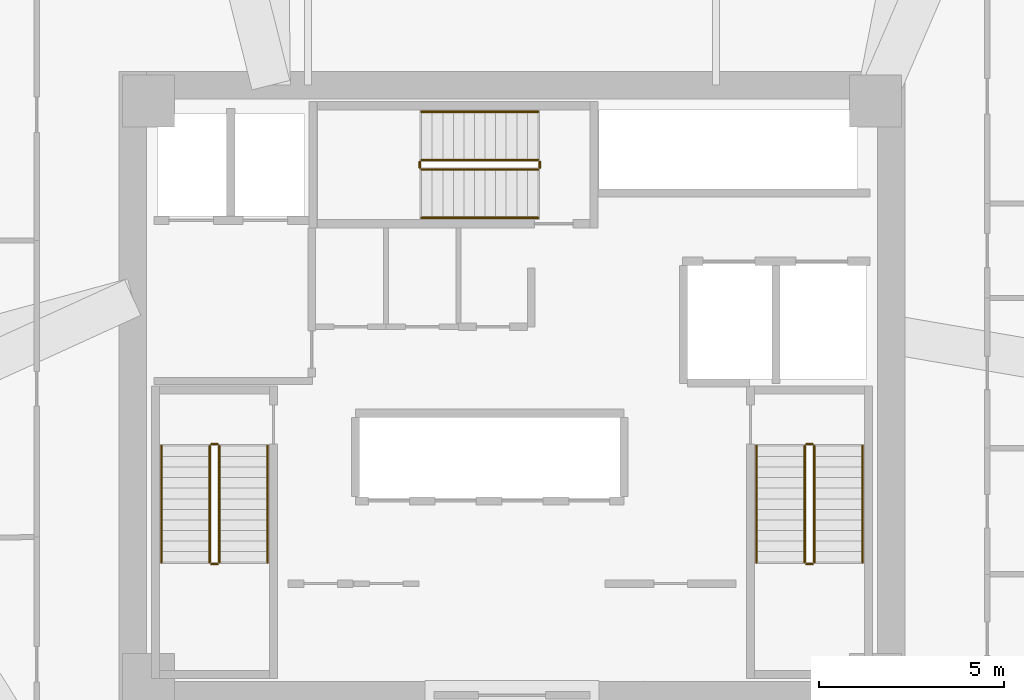
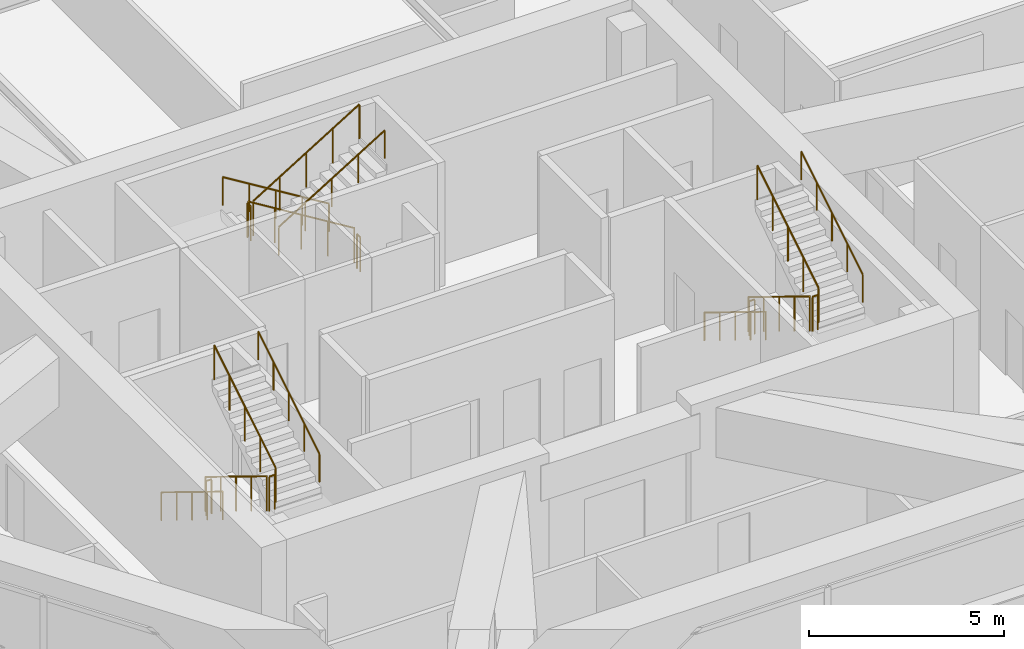
# One storey, part 14 of 14: 18 railings.
"""IFC4 building model written with IfcOpenShell, lengths in metres."""

import ifcopenshell
import ifcopenshell.guid

model = None  # the IFC model being written
_history = None  # IfcOwnerHistory: only IFC2X3 demands one
_inside = {}  # id of a spatial element -> (the spatial element, [elements in it])
_under = {}  # id of a project, library or spatial element -> (it, [spatial elements below it])
_declared = {}  # id of a project -> (the project, [libraries it declares])
_typed = {}  # id of a type object -> (the type object, [elements of that type])
_made_of = {}  # id of a material, layer set ... -> (it, [elements and type objects made of it])


def new_model(schema):
    """Start an empty IFC model of exactly this schema.

    Asked for "IFC4X3", IfcOpenShell would pick the latest addendum, in which some entities
    have other attributes; the version numbers below select the first issue.
    IFC2X3 requires an IfcOwnerHistory on every rooted entity: one is made here for all.
    """
    global model, _history
    if schema == "IFC4X3":
        model = ifcopenshell.file(schema_version=(4, 3, 0, 0))
    else:
        model = ifcopenshell.file(schema=schema)
    _inside.clear()
    _under.clear()
    _declared.clear()
    _typed.clear()
    _made_of.clear()
    _history = None
    if model.schema == "IFC2X3":
        org = make("IfcOrganization", Name="unknown")
        user = make(
            "IfcPersonAndOrganization",
            ThePerson=make("IfcPerson", FamilyName="unknown"),
            TheOrganization=org,
        )
        app = make(
            "IfcApplication",
            ApplicationDeveloper=org,
            Version="unknown",
            ApplicationFullName="unknown",
            ApplicationIdentifier="unknown",
        )
        _history = make(
            "IfcOwnerHistory",
            OwningUser=user,
            OwningApplication=app,
            ChangeAction="ADDED",
            CreationDate=0,
        )
    return model


def make(cls, **values):
    """One entity of the class cls with the attributes given. An attribute that is None is left unset."""
    return model.create_entity(
        cls, **{name: value for name, value in values.items() if value is not None}
    )


def rooted(cls, **values):
    """An entity with a GlobalId (a new one), such as an element, a storey or a relation."""
    return make(cls, GlobalId=ifcopenshell.guid.new(), OwnerHistory=_history, **values)


def si_unit(unit_type, name, prefix=None):
    """IfcSIUnit, for example si_unit("LENGTHUNIT", "METRE", prefix="MILLI")."""
    return make("IfcSIUnit", UnitType=unit_type, Prefix=prefix, Name=name)


def assignment(units):
    """IfcUnitAssignment: the units of a project."""
    return None if units is None else make("IfcUnitAssignment", Units=units)


def point(xyz):
    """IfcCartesianPoint."""
    return None if xyz is None else make("IfcCartesianPoint", Coordinates=xyz)


def direction(xyz):
    """IfcDirection."""
    return None if xyz is None else make("IfcDirection", DirectionRatios=xyz)


def frame(location, z_axis=None, x_axis=None):
    """IfcAxis2Placement3D, a coordinate frame: its origin and axes. An axis left out is left unset."""
    return make(
        "IfcAxis2Placement3D",
        Location=point(location),
        Axis=direction(z_axis),
        RefDirection=direction(x_axis),
    )


def frame_2d(location, x_axis=None):
    """IfcAxis2Placement2D, a coordinate frame in the plane: its origin and x axis."""
    return make(
        "IfcAxis2Placement2D", Location=point(location), RefDirection=direction(x_axis)
    )


def origin():
    """The frame at (0, 0, 0) with its axes left unset."""
    return frame((0.0, 0.0, 0.0))


def origin_2d():
    """The frame at (0, 0) in the plane with its x axis left unset."""
    return frame_2d((0.0, 0.0))


def place(relative_to, where):
    """IfcLocalPlacement: puts the frame where relative to a parent placement (None: the world)."""
    return make(
        "IfcLocalPlacement", PlacementRelTo=relative_to, RelativePlacement=where
    )


def context(
    kind, dimensions, precision=None, world=None, true_north=None, identifier=None
):
    """IfcGeometricRepresentationContext, for example the 3D "Model" context."""
    return make(
        "IfcGeometricRepresentationContext",
        ContextIdentifier=identifier,
        ContextType=kind,
        CoordinateSpaceDimension=dimensions,
        Precision=precision,
        WorldCoordinateSystem=world,
        TrueNorth=true_north,
    )


def subcontext(parent, identifier, kind, view, scale=None):
    """IfcGeometricRepresentationSubContext, for example "Body" below "Model"."""
    return make(
        "IfcGeometricRepresentationSubContext",
        ContextIdentifier=identifier,
        ContextType=kind,
        ParentContext=parent,
        TargetScale=scale,
        TargetView=view,
    )


def project(units=None, contexts=None):
    """IfcProject with its units and contexts."""
    return rooted(
        "IfcProject",
        Name="project",
        RepresentationContexts=contexts,
        UnitsInContext=assignment(units),
    )


def spatial(cls, under=None, at=None, **own):
    """A site, building, storey or space (cls), placed at a placement, below another one or the project."""
    s = rooted(cls, ObjectPlacement=at, **own)
    if under is not None:
        _under.setdefault(under.id(), (under, []))[1].append(s)
    return s


def profile(cls, at=None, kind="AREA", **sizes):
    """A parametric profile (cls). Its sizes go by their IFC names, for example OverallWidth=200.0."""
    return make(cls, ProfileType=kind, Position=at, **sizes)


def circle(**sizes):
    """IfcCircleProfileDef."""
    return profile("IfcCircleProfileDef", **sizes)


def extrude(swept, where, along, depth):
    """IfcExtrudedAreaSolid: the profile swept, set in the frame where, extruded along a direction by depth."""
    return make(
        "IfcExtrudedAreaSolid",
        SweptArea=swept,
        Position=where,
        ExtrudedDirection=direction(along),
        Depth=depth,
    )


def shape(context_of_items, identifier, shape_type, items):
    """IfcShapeRepresentation: the items that make up one representation, for example the "Body"."""
    return make(
        "IfcShapeRepresentation",
        ContextOfItems=context_of_items,
        RepresentationIdentifier=identifier,
        RepresentationType=shape_type,
        Items=items,
    )


def material(Name=None, Category=None):
    """IfcMaterial."""
    return make("IfcMaterial", Name=Name, Category=Category)


def made_of(thing, what):
    """Note that an element or type object is made of a material, layer set ...; save() writes the relation."""
    if what is not None:
        _made_of.setdefault(what.id(), (what, []))[1].append(thing)
    return thing


def type_object(cls, material=None, **own):
    """A type object (cls), such as IfcWallType, which elements share."""
    return made_of(rooted(cls, **own), material)


def element(
    cls,
    number,
    at=None,
    inside=None,
    cuts=None,
    type_object=None,
    material=None,
    context=None,
    identifier="Body",
    shape_type=None,
    held_by="IfcProductDefinitionShape",
    body=None,
    shapes=None,
    **own,
):
    """One element of the class cls, such as IfcWall. Its Tag is "e" and its number.

    at: its placement. inside: the storey or other place that contains it. cuts: it is an
    opening in that element (IfcRelVoidsElement). A single representation is given by context,
    identifier, shape_type and body (its items); several are given by shapes. held_by: the class
    of the entity that holds the representations. save() writes the other relations.
    """
    e = rooted(cls, Tag="e%d" % number, ObjectPlacement=at, **own)
    if body is not None:
        shapes = [shape(context, identifier, shape_type, body)]
    if shapes is not None:
        e.Representation = make(held_by, Representations=shapes)
    if inside is not None:
        _inside.setdefault(inside.id(), (inside, []))[1].append(e)
    if cuts is not None:
        rooted(
            "IfcRelVoidsElement", RelatingBuildingElement=cuts, RelatedOpeningElement=e
        )
    if type_object is not None:
        _typed.setdefault(type_object.id(), (type_object, []))[1].append(e)
    return made_of(e, material)


def aggregate(whole, parts):
    """IfcRelAggregates: a whole, such as a stair, and the parts it consists of."""
    return rooted("IfcRelAggregates", RelatingObject=whole, RelatedObjects=parts)


def save(model, path):
    """Write the relations noted so far, then the file.

    IfcRelAggregates (storeys below a building ...), IfcRelContainedInSpatialStructure (elements
    in a storey), IfcRelDefinesByType, IfcRelAssociatesMaterial and IfcRelDeclares: one each for
    every whole, place, type object, material and project.
    """
    for whole, parts in _under.values():
        aggregate(whole, parts)
    for where, things in _inside.values():
        rooted(
            "IfcRelContainedInSpatialStructure",
            RelatedElements=things,
            RelatingStructure=where,
        )
    for kind, things in _typed.values():
        rooted("IfcRelDefinesByType", RelatedObjects=things, RelatingType=kind)
    for what, things in _made_of.values():
        rooted("IfcRelAssociatesMaterial", RelatedObjects=things, RelatingMaterial=what)
    for by, libraries in _declared.values():
        rooted("IfcRelDeclares", RelatingContext=by, RelatedDefinitions=libraries)
    model.write(path)


model = new_model("IFC4")

# Units and contexts
model_context = context("Model", 3, precision=1e-05, world=origin(), true_north=direction((0.0, 1.0)))
body_context = subcontext(model_context, "Body", "Model", "MODEL_VIEW")
ifc_project = project(units=[si_unit("LENGTHUNIT", "METRE"), si_unit("AREAUNIT", "SQUARE_METRE"), si_unit("VOLUMEUNIT", "CUBIC_METRE"), si_unit("PLANEANGLEUNIT", "RADIAN"), si_unit("MASSUNIT", "GRAM", prefix="KILO")], contexts=[model_context])

# Site, building, storey
site_placement = place(None, origin())
site = spatial("IfcSite", under=ifc_project, at=site_placement, CompositionType="ELEMENT")
building_placement = place(site_placement, origin())
building = spatial("IfcBuilding", under=site, at=building_placement, Name="Durnholm Broadcast Tower", CompositionType="ELEMENT")
storey_placement = place(building_placement, frame((0.0, 0.0, 146.10009765625)))
storey = spatial("IfcBuildingStorey", under=building, at=storey_placement, Name="L40", CompositionType="ELEMENT", Elevation=146.10009765625)

# Railings
ifc_material_1 = material(Name="Painted Tubular Steel Stair Guardrail", Category="steel")
railing_type_1 = type_object("IfcRailingType", Name="RAIL-ST-GRD", PredefinedType="GUARDRAIL", material=ifc_material_1)
railing_1_placement = place(storey_placement, frame((-8.14990234375, -1.5, 0.1748046875)))
element("IfcRailing", 1, at=railing_1_placement, inside=storey, type_object=railing_type_1, Name="L40 ST-1 stair guard 1", PredefinedType="GUARDRAIL", context=body_context, shape_type="SweptSolid", body=[
    extrude(circle(Radius=0.02392578125, at=origin_2d()), frame((0.0, 0.0, 1.076171875), z_axis=(0.0, -0.852166034122, 0.523271488128), x_axis=(1.0, 0.0, 0.0)), (0.0, 0.0, 1.0), 3.678955078125),
    extrude(circle(Radius=0.02099609375, at=origin_2d()), origin(), (0.0, 0.0, 1.0), 1.052001953125),
    extrude(circle(Radius=0.02099609375, at=origin_2d()), frame((0.0, -0.78369140625, 0.481201171875)), (0.0, 0.0, 1.0), 1.052001953125),
    extrude(circle(Radius=0.02099609375, at=origin_2d()), frame((0.0, -1.5673828125, 0.96240234375)), (0.0, 0.0, 1.0), 1.052001953125),
    extrude(circle(Radius=0.02099609375, at=origin_2d()), frame((0.0, -2.351318359375, 1.44384765625)), (0.0, 0.0, 1.0), 1.052001953125),
    extrude(circle(Radius=0.02099609375, at=origin_2d()), frame((0.0, -3.135009765625, 1.925048828125)), (0.0, 0.0, 1.0), 1.052001953125),
])
railing_2_placement = place(storey_placement, frame((-8.10009765625, -4.68505859375, 2.099853515625)))
element("IfcRailing", 2, at=railing_2_placement, inside=storey, type_object=railing_type_1, Name="L40 ST-1 stair guard 2", PredefinedType="GUARDRAIL", context=body_context, shape_type="SweptSolid", body=[
    extrude(circle(Radius=0.02392578125, at=origin_2d()), frame((0.0, 0.0, 1.076171875), z_axis=(1.0, 0.0, 0.0), x_axis=(0.0, 1.0, 0.0)), (0.0, 0.0, 1.0), 0.16015625),
    extrude(circle(Radius=0.02099609375, at=origin_2d()), origin(), (0.0, 0.0, 1.0), 1.052001953125),
    extrude(circle(Radius=0.02099609375, at=origin_2d()), frame((0.16015625, 0.0, 0.0)), (0.0, 0.0, 1.0), 1.052001953125),
])
railing_3_placement = place(storey_placement, frame((-7.889892578125, -4.635009765625, 2.27490234375)))
element("IfcRailing", 3, at=railing_3_placement, inside=storey, type_object=railing_type_1, Name="L40 ST-1 stair guard 3", PredefinedType="GUARDRAIL", context=body_context, shape_type="SweptSolid", body=[
    extrude(circle(Radius=0.02392578125, at=origin_2d()), frame((0.0, 0.0, 1.076171875), z_axis=(0.0, 0.852166034122, 0.523271488128), x_axis=(-1.0, 0.0, 0.0)), (0.0, 0.0, 1.0), 3.678955078125),
    extrude(circle(Radius=0.02099609375, at=origin_2d()), origin(), (0.0, 0.0, 1.0), 1.052001953125),
    extrude(circle(Radius=0.02099609375, at=origin_2d()), frame((0.0, 0.78369140625, 0.481201171875)), (0.0, 0.0, 1.0), 1.052001953125),
    extrude(circle(Radius=0.02099609375, at=origin_2d()), frame((0.0, 1.5673828125, 0.96240234375)), (0.0, 0.0, 1.0), 1.052001953125),
    extrude(circle(Radius=0.02099609375, at=origin_2d()), frame((0.0, 2.351318359375, 1.44384765625)), (0.0, 0.0, 1.0), 1.052001953125),
    extrude(circle(Radius=0.02099609375, at=origin_2d()), frame((0.0, 3.135009765625, 1.925048828125)), (0.0, 0.0, 1.0), 1.052001953125),
])
railing_4_placement = place(storey_placement, frame((-8.10009765625, -1.449951171875, 0.0)))
element("IfcRailing", 4, at=railing_4_placement, inside=storey, type_object=railing_type_1, Name="L40 ST-1 stair guard 4", PredefinedType="GUARDRAIL", context=body_context, shape_type="SweptSolid", body=[
    extrude(circle(Radius=0.02392578125, at=origin_2d()), frame((0.0, 0.0, 1.076171875), z_axis=(1.0, 0.0, 0.0), x_axis=(0.0, 1.0, 0.0)), (0.0, 0.0, 1.0), 0.16015625),
    extrude(circle(Radius=0.02099609375, at=origin_2d()), origin(), (0.0, 0.0, 1.0), 1.052001953125),
    extrude(circle(Radius=0.02099609375, at=origin_2d()), frame((0.16015625, 0.0, 0.0)), (0.0, 0.0, 1.0), 1.052001953125),
])
railing_5_placement = place(storey_placement, frame((7.889892578125, -1.5, 0.1748046875)))
element("IfcRailing", 5, at=railing_5_placement, inside=storey, type_object=railing_type_1, Name="L40 ST-2 stair guard 1", PredefinedType="GUARDRAIL", context=body_context, shape_type="SweptSolid", body=[
    extrude(circle(Radius=0.02392578125, at=origin_2d()), frame((0.0, 0.0, 1.076171875), z_axis=(0.0, -0.852166034122, 0.523271488128), x_axis=(1.0, 0.0, 0.0)), (0.0, 0.0, 1.0), 3.678955078125),
    extrude(circle(Radius=0.02099609375, at=origin_2d()), origin(), (0.0, 0.0, 1.0), 1.052001953125),
    extrude(circle(Radius=0.02099609375, at=origin_2d()), frame((0.0, -0.78369140625, 0.481201171875)), (0.0, 0.0, 1.0), 1.052001953125),
    extrude(circle(Radius=0.02099609375, at=origin_2d()), frame((0.0, -1.5673828125, 0.96240234375)), (0.0, 0.0, 1.0), 1.052001953125),
    extrude(circle(Radius=0.02099609375, at=origin_2d()), frame((0.0, -2.351318359375, 1.44384765625)), (0.0, 0.0, 1.0), 1.052001953125),
    extrude(circle(Radius=0.02099609375, at=origin_2d()), frame((0.0, -3.135009765625, 1.925048828125)), (0.0, 0.0, 1.0), 1.052001953125),
])
railing_6_placement = place(storey_placement, frame((7.93994140625, -4.68505859375, 2.099853515625)))
element("IfcRailing", 6, at=railing_6_placement, inside=storey, type_object=railing_type_1, Name="L40 ST-2 stair guard 2", PredefinedType="GUARDRAIL", context=body_context, shape_type="SweptSolid", body=[
    extrude(circle(Radius=0.02392578125, at=origin_2d()), frame((0.0, 0.0, 1.076171875), z_axis=(1.0, 0.0, 0.0), x_axis=(0.0, 1.0, 0.0)), (0.0, 0.0, 1.0), 0.16015625),
    extrude(circle(Radius=0.02099609375, at=origin_2d()), origin(), (0.0, 0.0, 1.0), 1.052001953125),
    extrude(circle(Radius=0.02099609375, at=origin_2d()), frame((0.16015625, 0.0, 0.0)), (0.0, 0.0, 1.0), 1.052001953125),
])
railing_7_placement = place(storey_placement, frame((8.14990234375, -4.635009765625, 2.27490234375)))
element("IfcRailing", 7, at=railing_7_placement, inside=storey, type_object=railing_type_1, Name="L40 ST-2 stair guard 3", PredefinedType="GUARDRAIL", context=body_context, shape_type="SweptSolid", body=[
    extrude(circle(Radius=0.02392578125, at=origin_2d()), frame((0.0, 0.0, 1.076171875), z_axis=(0.0, 0.852166034122, 0.523271488128), x_axis=(-1.0, 0.0, 0.0)), (0.0, 0.0, 1.0), 3.678955078125),
    extrude(circle(Radius=0.02099609375, at=origin_2d()), origin(), (0.0, 0.0, 1.0), 1.052001953125),
    extrude(circle(Radius=0.02099609375, at=origin_2d()), frame((0.0, 0.78369140625, 0.481201171875)), (0.0, 0.0, 1.0), 1.052001953125),
    extrude(circle(Radius=0.02099609375, at=origin_2d()), frame((0.0, 1.5673828125, 0.96240234375)), (0.0, 0.0, 1.0), 1.052001953125),
    extrude(circle(Radius=0.02099609375, at=origin_2d()), frame((0.0, 2.351318359375, 1.44384765625)), (0.0, 0.0, 1.0), 1.052001953125),
    extrude(circle(Radius=0.02099609375, at=origin_2d()), frame((0.0, 3.135009765625, 1.925048828125)), (0.0, 0.0, 1.0), 1.052001953125),
])
railing_8_placement = place(storey_placement, frame((7.93994140625, -1.449951171875, 0.0)))
element("IfcRailing", 8, at=railing_8_placement, inside=storey, type_object=railing_type_1, Name="L40 ST-2 stair guard 4", PredefinedType="GUARDRAIL", context=body_context, shape_type="SweptSolid", body=[
    extrude(circle(Radius=0.02392578125, at=origin_2d()), frame((0.0, 0.0, 1.076171875), z_axis=(1.0, 0.0, 0.0), x_axis=(0.0, 1.0, 0.0)), (0.0, 0.0, 1.0), 0.16015625),
    extrude(circle(Radius=0.02099609375, at=origin_2d()), origin(), (0.0, 0.0, 1.0), 1.052001953125),
    extrude(circle(Radius=0.02099609375, at=origin_2d()), frame((0.16015625, 0.0, 0.0)), (0.0, 0.0, 1.0), 1.052001953125),
])
railing_9_placement = place(storey_placement, frame((0.699951171875, 6.2099609375, 0.1748046875)))
element("IfcRailing", 9, at=railing_9_placement, inside=storey, type_object=railing_type_1, Name="L40 ST-3 stair guard 1", PredefinedType="GUARDRAIL", context=body_context, shape_type="SweptSolid", body=[
    extrude(circle(Radius=0.02392578125, at=origin_2d()), frame((0.0, 0.0, 1.076171875), z_axis=(-0.852166034122, 0.0, 0.523271488128), x_axis=(0.0, -1.0, 0.0)), (0.0, 0.0, 1.0), 3.678955078125),
    extrude(circle(Radius=0.02099609375, at=origin_2d()), origin(), (0.0, 0.0, 1.0), 1.052001953125),
    extrude(circle(Radius=0.02099609375, at=origin_2d()), frame((-0.78369140625, 0.0, 0.481201171875)), (0.0, 0.0, 1.0), 1.052001953125),
    extrude(circle(Radius=0.02099609375, at=origin_2d()), frame((-1.5673828125, 0.0, 0.96240234375)), (0.0, 0.0, 1.0), 1.052001953125),
    extrude(circle(Radius=0.02099609375, at=origin_2d()), frame((-2.351318359375, 0.0, 1.44384765625)), (0.0, 0.0, 1.0), 1.052001953125),
    extrude(circle(Radius=0.02099609375, at=origin_2d()), frame((-3.135009765625, 0.0, 1.925048828125)), (0.0, 0.0, 1.0), 1.052001953125),
])
railing_10_placement = place(storey_placement, frame((-2.485107421875, 6.159912109375, 2.099853515625)))
element("IfcRailing", 10, at=railing_10_placement, inside=storey, type_object=railing_type_1, Name="L40 ST-3 stair guard 2", PredefinedType="GUARDRAIL", context=body_context, shape_type="SweptSolid", body=[
    extrude(circle(Radius=0.02392578125, at=origin_2d()), frame((0.0, 0.0, 1.076171875), z_axis=(0.0, -1.0, 0.0), x_axis=(1.0, 0.0, 0.0)), (0.0, 0.0, 1.0), 0.159912109375),
    extrude(circle(Radius=0.02099609375, at=origin_2d()), origin(), (0.0, 0.0, 1.0), 1.052001953125),
    extrude(circle(Radius=0.02099609375, at=origin_2d()), frame((0.0, -0.159912109375, 0.0)), (0.0, 0.0, 1.0), 1.052001953125),
])
railing_11_placement = place(storey_placement, frame((-2.43505859375, 5.949951171875, 2.27490234375)))
element("IfcRailing", 11, at=railing_11_placement, inside=storey, type_object=railing_type_1, Name="L40 ST-3 stair guard 3", PredefinedType="GUARDRAIL", context=body_context, shape_type="SweptSolid", body=[
    extrude(circle(Radius=0.02392578125, at=origin_2d()), frame((0.0, 0.0, 1.076171875), z_axis=(0.852166034122, 0.0, 0.523271488128), x_axis=(0.0, 1.0, 0.0)), (0.0, 0.0, 1.0), 3.678955078125),
    extrude(circle(Radius=0.02099609375, at=origin_2d()), origin(), (0.0, 0.0, 1.0), 1.052001953125),
    extrude(circle(Radius=0.02099609375, at=origin_2d()), frame((0.78369140625, 0.0, 0.481201171875)), (0.0, 0.0, 1.0), 1.052001953125),
    extrude(circle(Radius=0.02099609375, at=origin_2d()), frame((1.5673828125, 0.0, 0.96240234375)), (0.0, 0.0, 1.0), 1.052001953125),
    extrude(circle(Radius=0.02099609375, at=origin_2d()), frame((2.351318359375, 0.0, 1.44384765625)), (0.0, 0.0, 1.0), 1.052001953125),
    extrude(circle(Radius=0.02099609375, at=origin_2d()), frame((3.135009765625, 0.0, 1.925048828125)), (0.0, 0.0, 1.0), 1.052001953125),
])
railing_12_placement = place(storey_placement, frame((0.75, 6.159912109375, 0.0)))
element("IfcRailing", 12, at=railing_12_placement, inside=storey, type_object=railing_type_1, Name="L40 ST-3 stair guard 4", PredefinedType="GUARDRAIL", context=body_context, shape_type="SweptSolid", body=[
    extrude(circle(Radius=0.02392578125, at=origin_2d()), frame((0.0, 0.0, 1.076171875), z_axis=(0.0, -1.0, 0.0), x_axis=(1.0, 0.0, 0.0)), (0.0, 0.0, 1.0), 0.159912109375),
    extrude(circle(Radius=0.02099609375, at=origin_2d()), origin(), (0.0, 0.0, 1.0), 1.052001953125),
    extrude(circle(Radius=0.02099609375, at=origin_2d()), frame((0.0, -0.159912109375, 0.0)), (0.0, 0.0, 1.0), 1.052001953125),
])
ifc_material_2 = material(Name="Brushed Stainless Steel Handrail", Category="steel")
railing_type_2 = type_object("IfcRailingType", Name="RAIL-ST-HND", PredefinedType="HANDRAIL", material=ifc_material_2)
railing_13_placement = place(storey_placement, frame((-9.449951171875, -1.5, 0.349853515625)))
element("IfcRailing", 13, at=railing_13_placement, inside=storey, type_object=railing_type_2, Name="L40 ST-1 stair handrail 1", PredefinedType="HANDRAIL", context=body_context, shape_type="SweptSolid", body=[
    extrude(circle(Radius=0.02392578125, at=origin_2d()), frame((0.0, 0.0, 0.8759765625), z_axis=(0.0, -0.852166034122, 0.523271488128), x_axis=(1.0, 0.0, 0.0)), (0.0, 0.0, 1.0), 3.678955078125),
    extrude(circle(Radius=0.02099609375, at=origin_2d()), origin(), (0.0, 0.0, 1.0), 0.851806640625),
    extrude(circle(Radius=0.02099609375, at=origin_2d()), frame((0.0, -0.78369140625, 0.481201171875)), (0.0, 0.0, 1.0), 0.851806640625),
    extrude(circle(Radius=0.02099609375, at=origin_2d()), frame((0.0, -1.5673828125, 0.96240234375)), (0.0, 0.0, 1.0), 0.851806640625),
    extrude(circle(Radius=0.02099609375, at=origin_2d()), frame((0.0, -2.351318359375, 1.44384765625)), (0.0, 0.0, 1.0), 0.851806640625),
    extrude(circle(Radius=0.02099609375, at=origin_2d()), frame((0.0, -3.135009765625, 1.925048828125)), (0.0, 0.0, 1.0), 0.851806640625),
])
railing_14_placement = place(storey_placement, frame((-6.590087890625, -4.635009765625, 2.449951171875)))
element("IfcRailing", 14, at=railing_14_placement, inside=storey, type_object=railing_type_2, Name="L40 ST-1 stair handrail 2", PredefinedType="HANDRAIL", context=body_context, shape_type="SweptSolid", body=[
    extrude(circle(Radius=0.02392578125, at=origin_2d()), frame((0.0, 0.0, 0.8759765625), z_axis=(0.0, 0.852166034122, 0.523271488128), x_axis=(-1.0, 0.0, 0.0)), (0.0, 0.0, 1.0), 3.678955078125),
    extrude(circle(Radius=0.02099609375, at=origin_2d()), origin(), (0.0, 0.0, 1.0), 0.851806640625),
    extrude(circle(Radius=0.02099609375, at=origin_2d()), frame((0.0, 0.78369140625, 0.481201171875)), (0.0, 0.0, 1.0), 0.851806640625),
    extrude(circle(Radius=0.02099609375, at=origin_2d()), frame((0.0, 1.5673828125, 0.96240234375)), (0.0, 0.0, 1.0), 0.851806640625),
    extrude(circle(Radius=0.02099609375, at=origin_2d()), frame((0.0, 2.351318359375, 1.44384765625)), (0.0, 0.0, 1.0), 0.851806640625),
    extrude(circle(Radius=0.02099609375, at=origin_2d()), frame((0.0, 3.135009765625, 1.925048828125)), (0.0, 0.0, 1.0), 0.851806640625),
])
railing_15_placement = place(storey_placement, frame((6.590087890625, -1.5, 0.349853515625)))
element("IfcRailing", 15, at=railing_15_placement, inside=storey, type_object=railing_type_2, Name="L40 ST-2 stair handrail 1", PredefinedType="HANDRAIL", context=body_context, shape_type="SweptSolid", body=[
    extrude(circle(Radius=0.02392578125, at=origin_2d()), frame((0.0, 0.0, 0.8759765625), z_axis=(0.0, -0.852166034122, 0.523271488128), x_axis=(1.0, 0.0, 0.0)), (0.0, 0.0, 1.0), 3.678955078125),
    extrude(circle(Radius=0.02099609375, at=origin_2d()), origin(), (0.0, 0.0, 1.0), 0.851806640625),
    extrude(circle(Radius=0.02099609375, at=origin_2d()), frame((0.0, -0.78369140625, 0.481201171875)), (0.0, 0.0, 1.0), 0.851806640625),
    extrude(circle(Radius=0.02099609375, at=origin_2d()), frame((0.0, -1.5673828125, 0.96240234375)), (0.0, 0.0, 1.0), 0.851806640625),
    extrude(circle(Radius=0.02099609375, at=origin_2d()), frame((0.0, -2.351318359375, 1.44384765625)), (0.0, 0.0, 1.0), 0.851806640625),
    extrude(circle(Radius=0.02099609375, at=origin_2d()), frame((0.0, -3.135009765625, 1.925048828125)), (0.0, 0.0, 1.0), 0.851806640625),
])
railing_16_placement = place(storey_placement, frame((9.449951171875, -4.635009765625, 2.449951171875)))
element("IfcRailing", 16, at=railing_16_placement, inside=storey, type_object=railing_type_2, Name="L40 ST-2 stair handrail 2", PredefinedType="HANDRAIL", context=body_context, shape_type="SweptSolid", body=[
    extrude(circle(Radius=0.02392578125, at=origin_2d()), frame((0.0, 0.0, 0.8759765625), z_axis=(0.0, 0.852166034122, 0.523271488128), x_axis=(-1.0, 0.0, 0.0)), (0.0, 0.0, 1.0), 3.678955078125),
    extrude(circle(Radius=0.02099609375, at=origin_2d()), origin(), (0.0, 0.0, 1.0), 0.851806640625),
    extrude(circle(Radius=0.02099609375, at=origin_2d()), frame((0.0, 0.78369140625, 0.481201171875)), (0.0, 0.0, 1.0), 0.851806640625),
    extrude(circle(Radius=0.02099609375, at=origin_2d()), frame((0.0, 1.5673828125, 0.96240234375)), (0.0, 0.0, 1.0), 0.851806640625),
    extrude(circle(Radius=0.02099609375, at=origin_2d()), frame((0.0, 2.351318359375, 1.44384765625)), (0.0, 0.0, 1.0), 0.851806640625),
    extrude(circle(Radius=0.02099609375, at=origin_2d()), frame((0.0, 3.135009765625, 1.925048828125)), (0.0, 0.0, 1.0), 0.851806640625),
])
railing_17_placement = place(storey_placement, frame((0.699951171875, 7.510009765625, 0.349853515625)))
element("IfcRailing", 17, at=railing_17_placement, inside=storey, type_object=railing_type_2, Name="L40 ST-3 stair handrail 1", PredefinedType="HANDRAIL", context=body_context, shape_type="SweptSolid", body=[
    extrude(circle(Radius=0.02392578125, at=origin_2d()), frame((0.0, 0.0, 0.8759765625), z_axis=(-0.852166034122, 0.0, 0.523271488128), x_axis=(0.0, -1.0, 0.0)), (0.0, 0.0, 1.0), 3.678955078125),
    extrude(circle(Radius=0.02099609375, at=origin_2d()), origin(), (0.0, 0.0, 1.0), 0.851806640625),
    extrude(circle(Radius=0.02099609375, at=origin_2d()), frame((-0.78369140625, 0.0, 0.481201171875)), (0.0, 0.0, 1.0), 0.851806640625),
    extrude(circle(Radius=0.02099609375, at=origin_2d()), frame((-1.5673828125, 0.0, 0.96240234375)), (0.0, 0.0, 1.0), 0.851806640625),
    extrude(circle(Radius=0.02099609375, at=origin_2d()), frame((-2.351318359375, 0.0, 1.44384765625)), (0.0, 0.0, 1.0), 0.851806640625),
    extrude(circle(Radius=0.02099609375, at=origin_2d()), frame((-3.135009765625, 0.0, 1.925048828125)), (0.0, 0.0, 1.0), 0.851806640625),
])
railing_18_placement = place(storey_placement, frame((-2.43505859375, 4.64990234375, 2.449951171875)))
element("IfcRailing", 18, at=railing_18_placement, inside=storey, type_object=railing_type_2, Name="L40 ST-3 stair handrail 2", PredefinedType="HANDRAIL", context=body_context, shape_type="SweptSolid", body=[
    extrude(circle(Radius=0.02392578125, at=origin_2d()), frame((0.0, 0.0, 0.8759765625), z_axis=(0.852166034122, 0.0, 0.523271488128), x_axis=(0.0, 1.0, 0.0)), (0.0, 0.0, 1.0), 3.678955078125),
    extrude(circle(Radius=0.02099609375, at=origin_2d()), origin(), (0.0, 0.0, 1.0), 0.851806640625),
    extrude(circle(Radius=0.02099609375, at=origin_2d()), frame((0.78369140625, 0.0, 0.481201171875)), (0.0, 0.0, 1.0), 0.851806640625),
    extrude(circle(Radius=0.02099609375, at=origin_2d()), frame((1.5673828125, 0.0, 0.96240234375)), (0.0, 0.0, 1.0), 0.851806640625),
    extrude(circle(Radius=0.02099609375, at=origin_2d()), frame((2.351318359375, 0.0, 1.44384765625)), (0.0, 0.0, 1.0), 0.851806640625),
    extrude(circle(Radius=0.02099609375, at=origin_2d()), frame((3.135009765625, 0.0, 1.925048828125)), (0.0, 0.0, 1.0), 0.851806640625),
])

save(model, "model.ifc")
